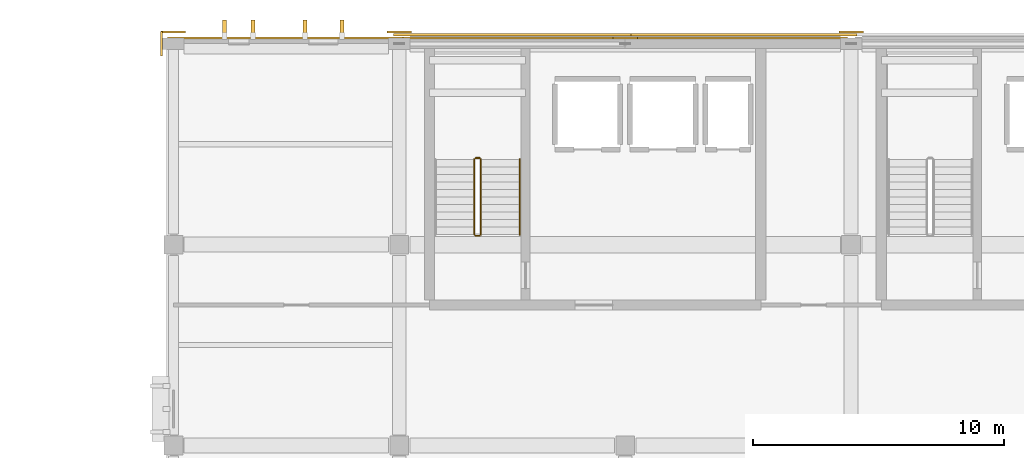
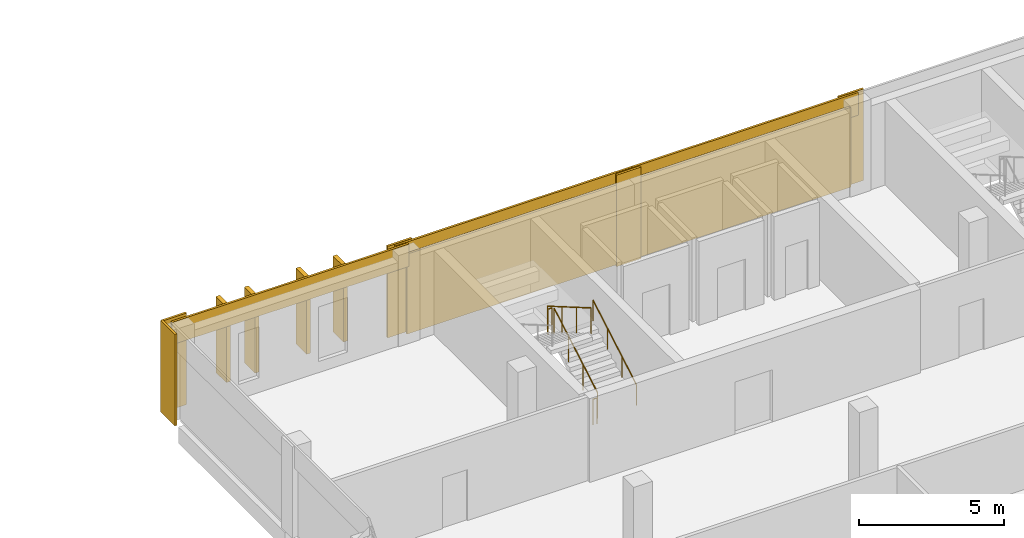
# One storey, part 59 of 64: 10 coverings, 5 railings, 4 shading devices.
"""IFC4 building model written with IfcOpenShell, lengths in metres."""

from ifc_helpers import new_model, si_unit, direction, frame, origin, origin_2d, place, context, subcontext, project, spatial, rectangle, circle, extrude, material, layer, layer_set, type_object, element, save


model = new_model("IFC4")

# Units and contexts
model_context = context("Model", 3, precision=1e-05, world=origin(), true_north=direction((0.0, 1.0)))
body_context = subcontext(model_context, "Body", "Model", "MODEL_VIEW")
ifc_project = project(units=[si_unit("LENGTHUNIT", "METRE"), si_unit("AREAUNIT", "SQUARE_METRE"), si_unit("VOLUMEUNIT", "CUBIC_METRE"), si_unit("PLANEANGLEUNIT", "RADIAN"), si_unit("MASSUNIT", "GRAM", prefix="KILO")], contexts=[model_context])

# Site, building, storey
site_placement = place(None, origin())
site = spatial("IfcSite", under=ifc_project, at=site_placement, CompositionType="ELEMENT")
building_placement = place(site_placement, origin())
building = spatial("IfcBuilding", under=site, at=building_placement, Name="Vervanel Yard Central Library", CompositionType="ELEMENT")
storey_placement = place(building_placement, frame((0.0, 0.0, 8.93994140625)))
storey = spatial("IfcBuildingStorey", under=building, at=storey_placement, Name="L02", CompositionType="ELEMENT", Elevation=8.93994140625)

# Railing
ifc_material_1 = material(Name="Brushed stainless steel AISI 316", Category="steel")
railing_type_1 = type_object("IfcRailingType", Name="Brushed Stainless Stair Handrail 900", PredefinedType="HANDRAIL", material=ifc_material_1)
railing_1_placement = place(storey_placement, frame((49.800048828125, 106.39990234375, 0.174560546875)))
element("IfcRailing", 1, at=railing_1_placement, inside=storey, type_object=railing_type_1, Name="L02 ST-01 stair handrail 1", PredefinedType="HANDRAIL", context=body_context, shape_type="SweptSolid", body=[
    extrude(circle(Radius=0.02392578125, at=origin_2d()), frame((0.0, 0.0, 0.8759765625), z_axis=(0.0, 0.864329436341, 0.502926063626), x_axis=(-1.0, 0.0, 0.0)), (0.0, 0.0, 1.0), 3.470947265625),
    extrude(circle(Radius=0.02099609375, at=origin_2d()), origin(), (0.0, 0.0, 1.0), 0.851806640625),
    extrude(circle(Radius=0.02099609375, at=origin_2d()), frame((0.0, 1.0, 0.581787109375)), (0.0, 0.0, 1.0), 0.851806640625),
    extrude(circle(Radius=0.02099609375, at=origin_2d()), frame((0.0, 2.0, 1.163818359375)), (0.0, 0.0, 1.0), 0.851806640625),
    extrude(circle(Radius=0.02099609375, at=origin_2d()), frame((0.0, 3.0, 1.74560546875)), (0.0, 0.0, 1.0), 0.851806640625),
])

# Coverings
ifc_material_2 = material(Name="Precast concrete C45/55", Category="concrete")
ifc_layer = layer(ifc_material_2, 0.0849609375, Category="concrete")
ifc_layer_set = layer_set([ifc_layer], Name="Precast concrete C45/55")
covering_type = type_object("IfcCoveringType", Name="Bush-Hammered Precast Architectural Cladding Panel", PredefinedType="CLADDING", material=ifc_layer_set)
covering_1_placement = place(storey_placement, frame((40.5, 114.22998046875, 2.91015625), z_axis=(0.0, 0.0, 1.0), x_axis=(1.0, 0.0, 0.0)))
element("IfcCovering", 2, at=covering_1_placement, inside=storey, type_object=covering_type, Name="L02 Precast Concrete Spandrel Cornice EWALL-L02-0032", PredefinedType="CLADDING", context=body_context, shape_type="SweptSolid", body=[
    extrude(rectangle(XDim=9.449951171875, YDim=0.0849609375, at=origin_2d()), origin(), (0.0, 0.0, 1.0), 0.949951171875),
])
for number, where, z_axis, x_axis, name in (
    (3, (36.0, 114.467529296875, 0.0), (0.0, 0.0, 1.0), (1.0, 0.0, 0.0), "L02 Precast Concrete Pier Pilaster EWALL-L02-0032-A"),
    (4, (45.0, 114.467529296875, 0.0), (0.0, 0.0, 1.0), (1.0, 0.0, 0.0), "L02 Precast Concrete Pier Pilaster EWALL-L02-0032-B"),
):
    element("IfcCovering", number, at=place(storey_placement, frame(where, z_axis=z_axis, x_axis=x_axis)), inside=storey, type_object=covering_type, Name=name, PredefinedType="CLADDING", context=body_context, shape_type="SweptSolid", body=[
        extrude(rectangle(XDim=0.97998046875, YDim=0.0849609375, at=origin_2d()), origin(), (0.0, 0.0, 1.0), 3.860107421875),
    ])
covering_2_placement = place(storey_placement, frame((49.5, 114.364990234375, 2.91015625), z_axis=(0.0, 0.0, 1.0), x_axis=(1.0, 0.0, 0.0)))
element("IfcCovering", 5, at=covering_2_placement, inside=storey, type_object=covering_type, Name="L02 Precast Concrete Spandrel Cornice EWALL-L02-0033", PredefinedType="CLADDING", context=body_context, shape_type="SweptSolid", body=[
    extrude(rectangle(XDim=9.449951171875, YDim=0.0849609375, at=origin_2d()), origin(), (0.0, 0.0, 1.0), 0.949951171875),
])
covering_3_placement = place(storey_placement, frame((54.0, 114.232421875, 0.0), z_axis=(0.0, 0.0, 1.0), x_axis=(1.0, 0.0, 0.0)))
element("IfcCovering", 6, at=covering_3_placement, inside=storey, type_object=covering_type, Name="L02 Precast Concrete Pier Pilaster EWALL-L02-0033-B", PredefinedType="CLADDING", context=body_context, shape_type="SweptSolid", body=[
    extrude(rectangle(XDim=0.97998046875, YDim=0.0849609375, at=origin_2d()), origin(), (0.0, 0.0, 1.0), 3.860107421875),
])
covering_4_placement = place(storey_placement, frame((49.5, 114.232421875, 0.080078125), z_axis=(0.0, 0.0, 1.0), x_axis=(1.0, 0.0, 0.0)))
element("IfcCovering", 7, at=covering_4_placement, inside=storey, type_object=covering_type, Name="L02 Bush-Hammered Precast Cladding EWALL-L02-0033", PredefinedType="CLADDING", context=body_context, shape_type="SweptSolid", body=[
    extrude(rectangle(XDim=8.699951171875, YDim=0.0849609375, at=origin_2d()), origin(), (0.0, 0.0, 1.0), 3.3701171875),
])
covering_5_placement = place(storey_placement, frame((58.5, 114.364990234375, 2.91015625), z_axis=(0.0, 0.0, 1.0), x_axis=(1.0, 0.0, 0.0)))
element("IfcCovering", 8, at=covering_5_placement, inside=storey, type_object=covering_type, Name="L02 Precast Concrete Spandrel Cornice EWALL-L02-0034", PredefinedType="CLADDING", context=body_context, shape_type="SweptSolid", body=[
    extrude(rectangle(XDim=9.449951171875, YDim=0.0849609375, at=origin_2d()), origin(), (0.0, 0.0, 1.0), 0.949951171875),
])
covering_6_placement = place(storey_placement, frame((63.0, 114.467529296875, 0.0), z_axis=(0.0, 0.0, 1.0), x_axis=(1.0, 0.0, 0.0)))
element("IfcCovering", 9, at=covering_6_placement, inside=storey, type_object=covering_type, Name="L02 Precast Concrete Pier Pilaster EWALL-L02-0034-B", PredefinedType="CLADDING", context=body_context, shape_type="SweptSolid", body=[
    extrude(rectangle(XDim=0.97998046875, YDim=0.0849609375, at=origin_2d()), origin(), (0.0, 0.0, 1.0), 3.860107421875),
])
covering_7_placement = place(storey_placement, frame((58.5, 114.232421875, 0.080078125), z_axis=(0.0, 0.0, 1.0), x_axis=(1.0, 0.0, 0.0)))
element("IfcCovering", 10, at=covering_7_placement, inside=storey, type_object=covering_type, Name="L02 Bush-Hammered Precast Cladding EWALL-L02-0034", PredefinedType="CLADDING", context=body_context, shape_type="SweptSolid", body=[
    extrude(rectangle(XDim=8.699951171875, YDim=0.0849609375, at=origin_2d()), origin(), (0.0, 0.0, 1.0), 3.3701171875),
])
covering_8_placement = place(storey_placement, frame((35.532470703125, 114.0, 0.0), z_axis=(0.0, 0.0, 1.0), x_axis=(0.0, 1.0, 0.0)))
element("IfcCovering", 11, at=covering_8_placement, inside=storey, type_object=covering_type, Name="L02 Precast Concrete Pier Pilaster EWALL-L02-0042-B", PredefinedType="CLADDING", context=body_context, shape_type="SweptSolid", body=[
    extrude(rectangle(XDim=0.97998046875, YDim=0.0849609375, at=origin_2d()), origin(), (0.0, 0.0, 1.0), 3.860107421875),
])

# Railings
ifc_material_3 = material(Name="Galvanized painted steelwork ASTM A500 Grade C", Category="steel")
railing_type_2 = type_object("IfcRailingType", Name="Painted Steel Guardrail 1100", PredefinedType="GUARDRAIL", material=ifc_material_3)
railing_2_placement = place(storey_placement, frame((48.25, 106.39990234375, 0.174560546875)))
element("IfcRailing", 12, at=railing_2_placement, inside=storey, type_object=railing_type_2, Name="L02 ST-01 stair guard 1", PredefinedType="GUARDRAIL", context=body_context, shape_type="SweptSolid", body=[
    extrude(circle(Radius=0.02392578125, at=origin_2d()), frame((0.0, 0.0, 1.076171875), z_axis=(0.0, 0.864329436341, 0.502926063626), x_axis=(-1.0, 0.0, 0.0)), (0.0, 0.0, 1.0), 3.470947265625),
    extrude(circle(Radius=0.02099609375, at=origin_2d()), origin(), (0.0, 0.0, 1.0), 1.052001953125),
    extrude(circle(Radius=0.02099609375, at=origin_2d()), frame((0.0, 1.0, 0.581787109375)), (0.0, 0.0, 1.0), 1.052001953125),
    extrude(circle(Radius=0.02099609375, at=origin_2d()), frame((0.0, 2.0, 1.163818359375)), (0.0, 0.0, 1.0), 1.052001953125),
    extrude(circle(Radius=0.02099609375, at=origin_2d()), frame((0.0, 3.0, 1.74560546875)), (0.0, 0.0, 1.0), 1.052001953125),
])
railing_3_placement = place(storey_placement, frame((48.199951171875, 109.449951171875, 1.920166015625)))
element("IfcRailing", 13, at=railing_3_placement, inside=storey, type_object=railing_type_2, Name="L02 ST-01 stair guard 2", PredefinedType="GUARDRAIL", context=body_context, shape_type="SweptSolid", body=[
    extrude(circle(Radius=0.02392578125, at=origin_2d()), frame((0.0, 0.0, 1.076171875), z_axis=(-1.0, 0.0, 0.0), x_axis=(0.0, -1.0, 0.0)), (0.0, 0.0, 1.0), 0.159912109375),
    extrude(circle(Radius=0.02099609375, at=origin_2d()), origin(), (0.0, 0.0, 1.0), 1.052001953125),
    extrude(circle(Radius=0.02099609375, at=origin_2d()), frame((-0.159912109375, 0.0, 0.0)), (0.0, 0.0, 1.0), 1.052001953125),
])
railing_4_placement = place(storey_placement, frame((47.989990234375, 109.39990234375, 2.094482421875)))
element("IfcRailing", 14, at=railing_4_placement, inside=storey, type_object=railing_type_2, Name="L02 ST-01 stair guard 3", PredefinedType="GUARDRAIL", context=body_context, shape_type="SweptSolid", body=[
    extrude(circle(Radius=0.02392578125, at=origin_2d()), frame((0.0, 0.0, 1.076171875), z_axis=(0.0, -0.864329436341, 0.502926063626), x_axis=(1.0, 0.0, 0.0)), (0.0, 0.0, 1.0), 3.470947265625),
    extrude(circle(Radius=0.02099609375, at=origin_2d()), origin(), (0.0, 0.0, 1.0), 1.052001953125),
    extrude(circle(Radius=0.02099609375, at=origin_2d()), frame((0.0, -1.0, 0.581787109375)), (0.0, 0.0, 1.0), 1.052001953125),
    extrude(circle(Radius=0.02099609375, at=origin_2d()), frame((0.0, -2.0, 1.163818359375)), (0.0, 0.0, 1.0), 1.052001953125),
    extrude(circle(Radius=0.02099609375, at=origin_2d()), frame((0.0, -3.0, 1.74560546875)), (0.0, 0.0, 1.0), 1.052001953125),
])
railing_5_placement = place(storey_placement, frame((48.199951171875, 106.35009765625, 0.0)))
element("IfcRailing", 15, at=railing_5_placement, inside=storey, type_object=railing_type_2, Name="L02 ST-01 stair guard 4", PredefinedType="GUARDRAIL", context=body_context, shape_type="SweptSolid", body=[
    extrude(circle(Radius=0.02392578125, at=origin_2d()), frame((0.0, 0.0, 1.076171875), z_axis=(-1.0, 0.0, 0.0), x_axis=(0.0, -1.0, 0.0)), (0.0, 0.0, 1.0), 0.159912109375),
    extrude(circle(Radius=0.02099609375, at=origin_2d()), origin(), (0.0, 0.0, 1.0), 1.052001953125),
    extrude(circle(Radius=0.02099609375, at=origin_2d()), frame((-0.159912109375, 0.0, 0.0)), (0.0, 0.0, 1.0), 1.052001953125),
])

# Shading devices
shading_device_type = type_object("IfcShadingDeviceType", Name="Vertical Precast Solar Fin 160x720x3200", PredefinedType="JALOUSIE", material=ifc_material_2)
for number, where, z_axis, x_axis, name in (
    (16, (38.0400390625, 114.590087890625, 0.52490234375), (0.0, 0.0, 1.0), (1.0, 0.0, 0.0), "L02 Precast Solar Fin 92"),
    (17, (39.179931640625, 114.590087890625, 0.52490234375), (0.0, 0.0, 1.0), (1.0, 0.0, 0.0), "L02 Precast Solar Fin 93"),
    (18, (41.239990234375, 114.590087890625, 0.60009765625), (0.0, 0.0, 1.0), (1.0, 0.0, 0.0), "L02 Precast Solar Fin 94"),
    (19, (42.7099609375, 114.590087890625, 0.60009765625), (0.0, 0.0, 1.0), (1.0, 0.0, 0.0), "L02 Precast Solar Fin 95"),
):
    element("IfcShadingDevice", number, at=place(storey_placement, frame(where, z_axis=z_axis, x_axis=x_axis)), inside=storey, type_object=shading_device_type, Name=name, PredefinedType="JALOUSIE", context=body_context, shape_type="SweptSolid", body=[
        extrude(rectangle(XDim=0.159912109375, YDim=0.719970703125, at=origin_2d()), origin(), (0.0, 0.0, 1.0), 3.199951171875),
    ])

save(model, "model.ifc")
